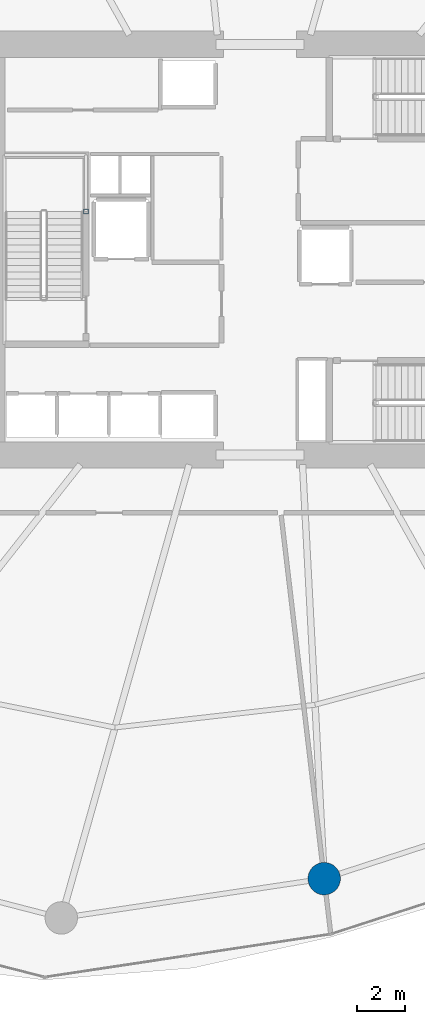
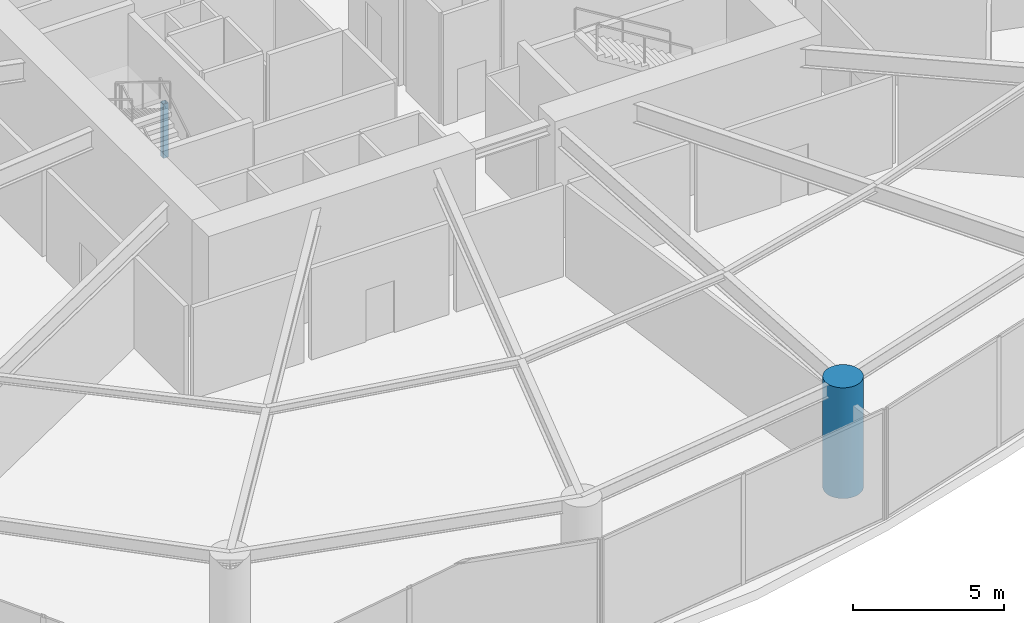
# One storey, part 2 of 22: 2 columns.
"""IFC4 building model written with IfcOpenShell, lengths in metres."""

from ifc_helpers import new_model, si_unit, direction, frame, origin, origin_2d, place, context, subcontext, project, spatial, hollow_rectangle, circle, extrude, material, material_profile, profile_set, type_object, element, save


model = new_model("IFC4")

# Units and contexts
model_context = context("Model", 3, precision=1e-05, world=origin(), true_north=direction((0.0, 1.0)))
body_context = subcontext(model_context, "Body", "Model", "MODEL_VIEW")
ifc_project = project(units=[si_unit("LENGTHUNIT", "METRE"), si_unit("AREAUNIT", "SQUARE_METRE"), si_unit("VOLUMEUNIT", "CUBIC_METRE"), si_unit("PLANEANGLEUNIT", "RADIAN"), si_unit("MASSUNIT", "GRAM", prefix="KILO")], contexts=[model_context])

# Site, building, storey
site_placement = place(None, origin())
site = spatial("IfcSite", under=ifc_project, at=site_placement, CompositionType="ELEMENT")
building_placement = place(site_placement, origin())
building = spatial("IfcBuilding", under=site, at=building_placement, Name="Kazma Halo Residences", CompositionType="ELEMENT")
storey_placement = place(building_placement, frame((0.0, 0.0, 7.199951171875)))
storey = spatial("IfcBuildingStorey", under=building, at=storey_placement, Name="L01", CompositionType="ELEMENT", Elevation=7.199951171875)

# Columns
ifc_material_1 = material(Name="Steel S355", Category="steel")
ifc_material_profile_1 = material_profile(ifc_material_1, hollow_rectangle(XDim=0.199951171875, YDim=0.199951171875, WallThickness=0.010009765625, InnerFilletRadius=0.010009765625, OuterFilletRadius=0.02001953125, at=origin_2d()), Name="SHS200x200x10")
ifc_profile_set_1 = profile_set([ifc_material_profile_1], Name="Steel S355")
column_type_1 = type_object("IfcColumnType", Name="COL-LP-SHS200", PredefinedType="COLUMN", material=ifc_profile_set_1)
column_1_placement = place(storey_placement, frame((41.179931640625, 43.590087890625, 0.0), z_axis=(0.0, 0.0, 1.0), x_axis=(1.0, 0.0, 0.0)))
element("IfcColumn", 1, at=column_1_placement, inside=storey, type_object=column_type_1, Name="L01 ST-01 landing pilaster 1", PredefinedType="COLUMN", context=body_context, shape_type="SweptSolid", body=[
    extrude(hollow_rectangle(XDim=0.199951171875, YDim=0.199951171875, WallThickness=0.010009765625, InnerFilletRadius=0.010009765625, OuterFilletRadius=0.02001953125, at=origin_2d()), origin(), (0.0, 0.0, 1.0), 2.195068359375),
])
ifc_material_2 = material(Name="Concrete C80/95", Category="concrete")
ifc_material_profile_2 = material_profile(ifc_material_2, circle(Radius=0.675048828125, at=origin_2d()), Name="CIRC1350")
ifc_profile_set_2 = profile_set([ifc_material_profile_2], Name="Concrete C80/95")
column_type_2 = type_object("IfcColumnType", Name="COL-PERIM-1350", PredefinedType="COLUMN", material=ifc_profile_set_2)
column_2_placement = place(storey_placement, frame((51.1005859375, 15.803955078125, 0.0), z_axis=(0.0, 0.0, 1.0), x_axis=(1.0, 0.0, 0.0)))
element("IfcColumn", 2, at=column_2_placement, inside=storey, type_object=column_type_2, Name="L01 perimeter ring column P12", PredefinedType="COLUMN", context=body_context, shape_type="SweptSolid", body=[
    extrude(circle(Radius=0.675048828125, at=origin_2d()), origin(), (0.0, 0.0, 1.0), 4.47998046875),
])

save(model, "model.ifc")
